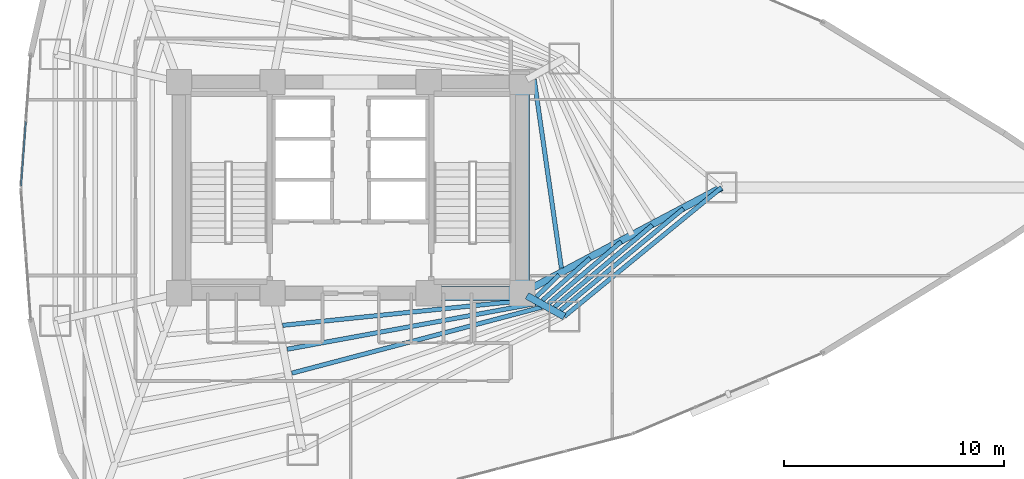
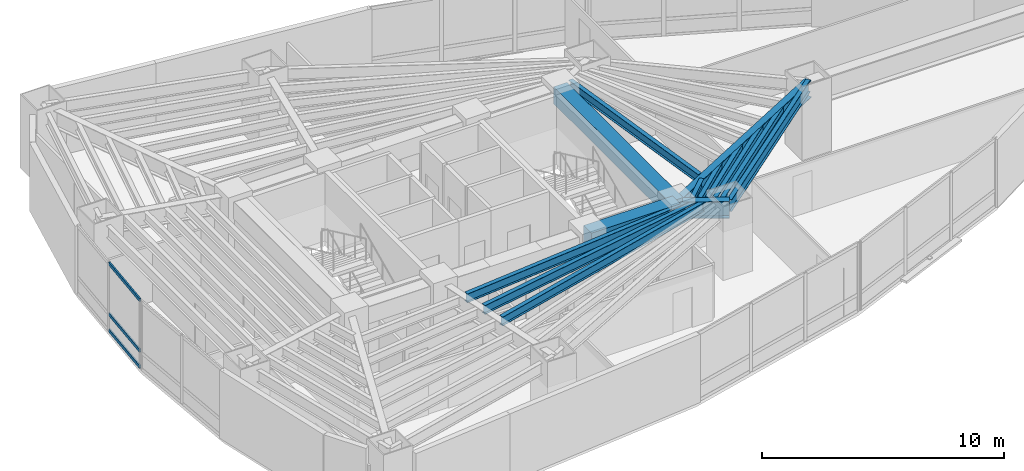
# One storey, part 7 of 20: 14 beams, 3 members, 1 element without a shape of its own.
"""IFC4 building model written with IfcOpenShell, lengths in metres."""

from ifc_helpers import new_model, si_unit, direction, frame, origin, origin_2d, place, context, subcontext, project, spatial, rectangle, hollow_rectangle, i_section, extrude, material, layer, layer_set, material_profile, profile_set, type_object, element, aggregate, save


model = new_model("IFC4")

# Units and contexts
model_context = context("Model", 3, precision=1e-05, world=origin(), true_north=direction((0.0, 1.0)))
body_context = subcontext(model_context, "Body", "Model", "MODEL_VIEW")
ifc_project = project(units=[si_unit("LENGTHUNIT", "METRE"), si_unit("AREAUNIT", "SQUARE_METRE"), si_unit("VOLUMEUNIT", "CUBIC_METRE"), si_unit("PLANEANGLEUNIT", "RADIAN"), si_unit("MASSUNIT", "GRAM", prefix="KILO")], contexts=[model_context])

# Site, building, storey
site_placement = place(None, origin())
site = spatial("IfcSite", under=ifc_project, at=site_placement, CompositionType="ELEMENT")
building_placement = place(site_placement, origin())
building = spatial("IfcBuilding", under=site, at=building_placement, Name="Menara Vayukalpa", CompositionType="ELEMENT")
storey_placement = place(building_placement, frame((0.0, 0.0, 64.800048828125)))
storey = spatial("IfcBuildingStorey", under=building, at=storey_placement, Name="L15", CompositionType="ELEMENT", Elevation=64.800048828125)

# Beams
ifc_material_1 = material(Name="Concrete C60/75", Category="concrete")
ifc_material_profile_1 = material_profile(ifc_material_1, rectangle(XDim=0.64990234375, YDim=0.85009765625, at=origin_2d()), Name="RC 650x850")
ifc_profile_set_1 = profile_set([ifc_material_profile_1], Name="Concrete C60/75")
beam_type_1 = type_object("IfcBeamType", Name="BM-CB1", PredefinedType="BEAM", material=ifc_profile_set_1)
beam_1_placement = place(storey_placement, frame((29.14990234375, 17.199951171875, 3.014892578125), z_axis=(1.0, 0.0, 0.0), x_axis=(0.0, 1.0, 0.0)))
element("IfcBeam", 1, at=beam_1_placement, inside=storey, type_object=beam_type_1, Name="L15 Core Tie Beam CBR3", PredefinedType="BEAM", context=body_context, shape_type="SweptSolid", body=[
    extrude(rectangle(XDim=0.64990234375, YDim=0.85009765625, at=origin_2d()), origin(), (0.0, 0.0, 1.0), 4.25),
])
beam_2_placement = place(storey_placement, frame((33.39990234375, 17.199951171875, 3.014892578125), z_axis=(0.0, 1.0, 0.0), x_axis=(-1.0, 0.0, 0.0)))
element("IfcBeam", 2, at=beam_2_placement, inside=storey, type_object=beam_type_1, Name="L15 Core Tie Beam CBR8", PredefinedType="BEAM", context=body_context, shape_type="SweptSolid", body=[
    extrude(rectangle(XDim=0.64990234375, YDim=0.85009765625, at=origin_2d()), origin(), (0.0, 0.0, 1.0), 9.60009765625),
])
ifc_material_2 = material(Name="Steel S355", Category="steel")
ifc_material_profile_2 = material_profile(ifc_material_2, i_section(OverallWidth=0.320068359375, OverallDepth=0.85009765625, WebThickness=0.01611328125, FlangeThickness=0.030029296875, at=origin_2d()), Name="WF 850x320x16x30")
ifc_profile_set_2 = profile_set([ifc_material_profile_2], Name="Steel S355")
beam_type_2 = type_object("IfcBeamType", Name="BM-PG2", PredefinedType="BEAM", material=ifc_profile_set_2)
beam_3_placement = place(storey_placement, frame((33.620849609375, 17.31689453125, 3.014892578125), z_axis=(0.883746967157, 0.467965060704, 0.0), x_axis=(-0.467965060704, 0.883746967157, 0.0)))
element("IfcBeam", 3, at=beam_3_placement, inside=storey, type_object=beam_type_2, Name="L15 Primary Radial Girder RG01", PredefinedType="BEAM", context=body_context, shape_type="SweptSolid", body=[
    extrude(i_section(OverallWidth=0.320068359375, OverallDepth=0.85009765625, WebThickness=0.01611328125, FlangeThickness=0.030029296875, at=origin_2d()), origin(), (0.0, 0.0, 1.0), 10.00732421875),
])
beam_4_placement = place(storey_placement, frame((33.61865234375, 17.078857421875, 3.014892578125), z_axis=(0.87459548214, -0.484853320727, 0.0), x_axis=(0.484853320727, 0.87459548214, 0.0)))
element("IfcBeam", 4, at=beam_4_placement, inside=storey, type_object=beam_type_2, Name="L15 Primary Radial Girder RG09", PredefinedType="BEAM", context=body_context, shape_type="SweptSolid", body=[
    extrude(i_section(OverallWidth=0.320068359375, OverallDepth=0.85009765625, WebThickness=0.01611328125, FlangeThickness=0.030029296875, at=origin_2d()), origin(), (0.0, 0.0, 1.0), 1.943115234375),
])
ifc_material_3 = material(Name="Steel S355", Category="steel")
ifc_material_profile_3 = material_profile(ifc_material_3, i_section(OverallWidth=0.199951171875, OverallDepth=0.449951171875, WebThickness=0.009033203125, FlangeThickness=0.013916015625, at=origin_2d()), Name="WF 450x200x9x14")
ifc_profile_set_3 = profile_set([ifc_material_profile_3], Name="Steel S355")
beam_type_3 = type_object("IfcBeamType", Name="BM-SJ1", PredefinedType="JOIST", material=ifc_profile_set_3)
beam_5_placement = place(storey_placement, frame((35.18701171875, 18.338134765625, 3.21484375), z_axis=(-0.142766602183, 0.989756382804, 0.0), x_axis=(-0.989756382804, -0.142766602183, 0.0)))
element("IfcBeam", 5, at=beam_5_placement, inside=storey, type_object=beam_type_3, Name="L15 Secondary Floor Joist SJ01-1", PredefinedType="JOIST", context=body_context, shape_type="SweptSolid", body=[
    extrude(i_section(OverallWidth=0.199951171875, OverallDepth=0.449951171875, WebThickness=0.009033203125, FlangeThickness=0.013916015625, at=origin_2d()), origin(), (0.0, 0.0, 1.0), 8.6630859375),
])
beam_6_placement = place(storey_placement, frame((22.514404296875, 15.735107421875, 3.21484375), z_axis=(0.994746828953, 0.102365747631, 0.0), x_axis=(-0.102365747631, 0.994746828953, 0.0)))
element("IfcBeam", 6, at=beam_6_placement, inside=storey, type_object=beam_type_3, Name="L15 Secondary Floor Joist SJ08-1", PredefinedType="JOIST", context=body_context, shape_type="SweptSolid", body=[
    extrude(i_section(OverallWidth=0.199951171875, OverallDepth=0.449951171875, WebThickness=0.009033203125, FlangeThickness=0.013916015625, at=origin_2d()), origin(), (0.0, 0.0, 1.0), 11.29052734375),
])
beam_7_placement = place(storey_placement, frame((22.723876953125, 14.648681640625, 3.21484375), z_axis=(0.983504975359, 0.180881075419, 0.0), x_axis=(-0.180881075419, 0.983504975359, 0.0)))
element("IfcBeam", 7, at=beam_7_placement, inside=storey, type_object=beam_type_3, Name="L15 Secondary Floor Joist SJ08-2", PredefinedType="JOIST", context=body_context, shape_type="SweptSolid", body=[
    extrude(i_section(OverallWidth=0.199951171875, OverallDepth=0.449951171875, WebThickness=0.009033203125, FlangeThickness=0.013916015625, at=origin_2d()), origin(), (0.0, 0.0, 1.0), 11.48486328125),
])
beam_8_placement = place(storey_placement, frame((22.932373046875, 13.561767578125, 3.21484375), z_axis=(0.966863757537, 0.255292918746, 0.0), x_axis=(-0.255292918746, 0.966863757537, 0.0)))
element("IfcBeam", 8, at=beam_8_placement, inside=storey, type_object=beam_type_3, Name="L15 Secondary Floor Joist SJ08-3", PredefinedType="JOIST", context=body_context, shape_type="SweptSolid", body=[
    extrude(i_section(OverallWidth=0.199951171875, OverallDepth=0.449951171875, WebThickness=0.009033203125, FlangeThickness=0.013916015625, at=origin_2d()), origin(), (0.0, 0.0, 1.0), 11.751220703125),
])
beam_9_placement = place(storey_placement, frame((34.0537109375, 17.03466796875, 3.21484375), z_axis=(0.717488193219, 0.696570665899, 0.0), x_axis=(-0.696570665899, 0.717488193219, 0.0)))
element("IfcBeam", 9, at=beam_9_placement, inside=storey, type_object=beam_type_3, Name="L15 Secondary Floor Joist SJ09-1", PredefinedType="JOIST", context=body_context, shape_type="SweptSolid", body=[
    extrude(i_section(OverallWidth=0.199951171875, OverallDepth=0.449951171875, WebThickness=0.009033203125, FlangeThickness=0.013916015625, at=origin_2d()), origin(), (0.0, 0.0, 1.0), 1.435546875),
])
beam_10_placement = place(storey_placement, frame((34.331298828125, 16.877685546875, 3.21484375), z_axis=(0.748970728252, 0.662603084978, 0.0), x_axis=(-0.662603084978, 0.748970728252, 0.0)))
element("IfcBeam", 10, at=beam_10_placement, inside=storey, type_object=beam_type_3, Name="L15 Secondary Floor Joist SJ09-2", PredefinedType="JOIST", context=body_context, shape_type="SweptSolid", body=[
    extrude(i_section(OverallWidth=0.199951171875, OverallDepth=0.449951171875, WebThickness=0.009033203125, FlangeThickness=0.013916015625, at=origin_2d()), origin(), (0.0, 0.0, 1.0), 2.88623046875),
])
beam_11_placement = place(storey_placement, frame((34.605224609375, 16.724609375, 3.21484375), z_axis=(0.760660716004, 0.649149655418, 0.0), x_axis=(-0.649149655418, 0.760660716004, 0.0)))
element("IfcBeam", 11, at=beam_11_placement, inside=storey, type_object=beam_type_3, Name="L15 Secondary Floor Joist SJ09-3", PredefinedType="JOIST", context=body_context, shape_type="SweptSolid", body=[
    extrude(i_section(OverallWidth=0.199951171875, OverallDepth=0.449951171875, WebThickness=0.009033203125, FlangeThickness=0.013916015625, at=origin_2d()), origin(), (0.0, 0.0, 1.0), 4.33935546875),
])
beam_12_placement = place(storey_placement, frame((34.878173828125, 16.572509765625, 3.21484375), z_axis=(0.766661190174, 0.642051882235, 0.0), x_axis=(-0.642051882235, 0.766661190174, 0.0)))
element("IfcBeam", 12, at=beam_12_placement, inside=storey, type_object=beam_type_3, Name="L15 Secondary Floor Joist SJ09-4", PredefinedType="JOIST", context=body_context, shape_type="SweptSolid", body=[
    extrude(i_section(OverallWidth=0.199951171875, OverallDepth=0.449951171875, WebThickness=0.009033203125, FlangeThickness=0.013916015625, at=origin_2d()), origin(), (0.0, 0.0, 1.0), 5.79345703125),
])
beam_13_placement = place(storey_placement, frame((35.15087890625, 16.421142578125, 3.21484375), z_axis=(0.770362369683, 0.637606320056, 0.0), x_axis=(-0.637606320056, 0.770362369683, 0.0)))
element("IfcBeam", 13, at=beam_13_placement, inside=storey, type_object=beam_type_3, Name="L15 Secondary Floor Joist SJ09-5", PredefinedType="JOIST", context=body_context, shape_type="SweptSolid", body=[
    extrude(i_section(OverallWidth=0.199951171875, OverallDepth=0.449951171875, WebThickness=0.009033203125, FlangeThickness=0.013916015625, at=origin_2d()), origin(), (0.0, 0.0, 1.0), 7.24755859375),
])
ifc_material_4 = material(Name="Steel S355", Category="steel")
ifc_material_profile_4 = material_profile(ifc_material_4, i_section(OverallWidth=0.199951171875, OverallDepth=0.60009765625, WebThickness=0.010986328125, FlangeThickness=0.01708984375, at=origin_2d()), Name="WF 600x200x11x17")
ifc_profile_set_4 = profile_set([ifc_material_profile_4], Name="Steel S355")
beam_type_4 = type_object("IfcBeamType", Name="BM-SP1", PredefinedType="SPANDREL", material=ifc_profile_set_4)
beam_14_placement = place(storey_placement, frame((35.318115234375, 16.13671875, 3.139892578125), z_axis=(0.773110561587, 0.63427128231, 0.0), x_axis=(-0.63427128231, 0.773110561587, 0.0)))
element("IfcBeam", 14, at=beam_14_placement, inside=storey, type_object=beam_type_4, Name="L15 Perimeter Spandrel Beam SP09", PredefinedType="SPANDREL", context=body_context, shape_type="SweptSolid", body=[
    extrude(i_section(OverallWidth=0.199951171875, OverallDepth=0.60009765625, WebThickness=0.010986328125, FlangeThickness=0.01708984375, at=origin_2d()), origin(), (0.0, 0.0, 1.0), 9.244140625),
])

# Curtain wall, members
ifc_material_5 = material(Name="Anodised Terracotta Aluminium Alloy 6063-T6", Category="masonry")
ifc_layer = layer(ifc_material_5, 0.179931640625)
ifc_layer_set = layer_set([ifc_layer], Name="Anodised Terracotta Aluminium Alloy 6063-T6")
curtain_wall_type = type_object("IfcCurtainWallType", Name="CW-CW4", PredefinedType="USERDEFINED", material=ifc_layer_set)
curtain_wall_placement = place(storey_placement, origin())
curtain_wall = element("IfcCurtainWall", 15, at=curtain_wall_placement, inside=storey, type_object=curtain_wall_type, Name="L15 Sky Bar Cantilever Glazed Curtain Wall CW4 10", ObjectType="UNITISED", PredefinedType="USERDEFINED")
ifc_material_6 = material(Name="Anodised Terracotta Aluminium Alloy 6063-T6", Category="masonry")
ifc_material_profile_5 = material_profile(ifc_material_6, hollow_rectangle(XDim=0.070068359375, YDim=0.1650390625, WallThickness=0.00390625, at=origin_2d()), Name="ALU 70x165x4")
ifc_profile_set_5 = profile_set([ifc_material_profile_5], Name="Anodised Terracotta Aluminium Alloy 6063-T6")
member_type = type_object("IfcMemberType", Name="CWT-CW4", PredefinedType="USERDEFINED", material=ifc_profile_set_5)
member_1_placement = place(storey_placement, frame((10.834228515625, 24.992431640625, 0.034912109375), z_axis=(-0.074845955291, -0.997195107778, 0.0), x_axis=(0.997195107778, -0.074845955291, 0.0)))
member_1 = element("IfcMember", 16, at=member_1_placement, type_object=member_type, Name="CW4 transom 2.1", ObjectType="TRANSOM", PredefinedType="USERDEFINED", context=body_context, shape_type="SweptSolid", body=[
    extrude(hollow_rectangle(XDim=0.070068359375, YDim=0.1650390625, WallThickness=0.00390625, at=origin_2d()), origin(), (0.0, 0.0, 1.0), 2.926025390625),
])
member_2_placement = place(storey_placement, frame((10.834228515625, 24.992431640625, 0.849853515625), z_axis=(-0.074845955291, -0.997195107778, 0.0), x_axis=(0.997195107778, -0.074845955291, 0.0)))
member_2 = element("IfcMember", 17, at=member_2_placement, type_object=member_type, Name="CW4 transom 2.2", ObjectType="TRANSOM", PredefinedType="USERDEFINED", context=body_context, shape_type="SweptSolid", body=[
    extrude(hollow_rectangle(XDim=0.070068359375, YDim=0.1650390625, WallThickness=0.00390625, at=origin_2d()), origin(), (0.0, 0.0, 1.0), 2.926025390625),
])
member_3_placement = place(storey_placement, frame((10.834228515625, 24.992431640625, 3.405029296875), z_axis=(-0.074845955291, -0.997195107778, 0.0), x_axis=(0.997195107778, -0.074845955291, 0.0)))
member_3 = element("IfcMember", 18, at=member_3_placement, type_object=member_type, Name="CW4 transom 2.3", ObjectType="TRANSOM", PredefinedType="USERDEFINED", context=body_context, shape_type="SweptSolid", body=[
    extrude(hollow_rectangle(XDim=0.070068359375, YDim=0.1650390625, WallThickness=0.00390625, at=origin_2d()), origin(), (0.0, 0.0, 1.0), 2.926025390625),
])
aggregate(curtain_wall, [member_1, member_2, member_3])

save(model, "model.ifc")
